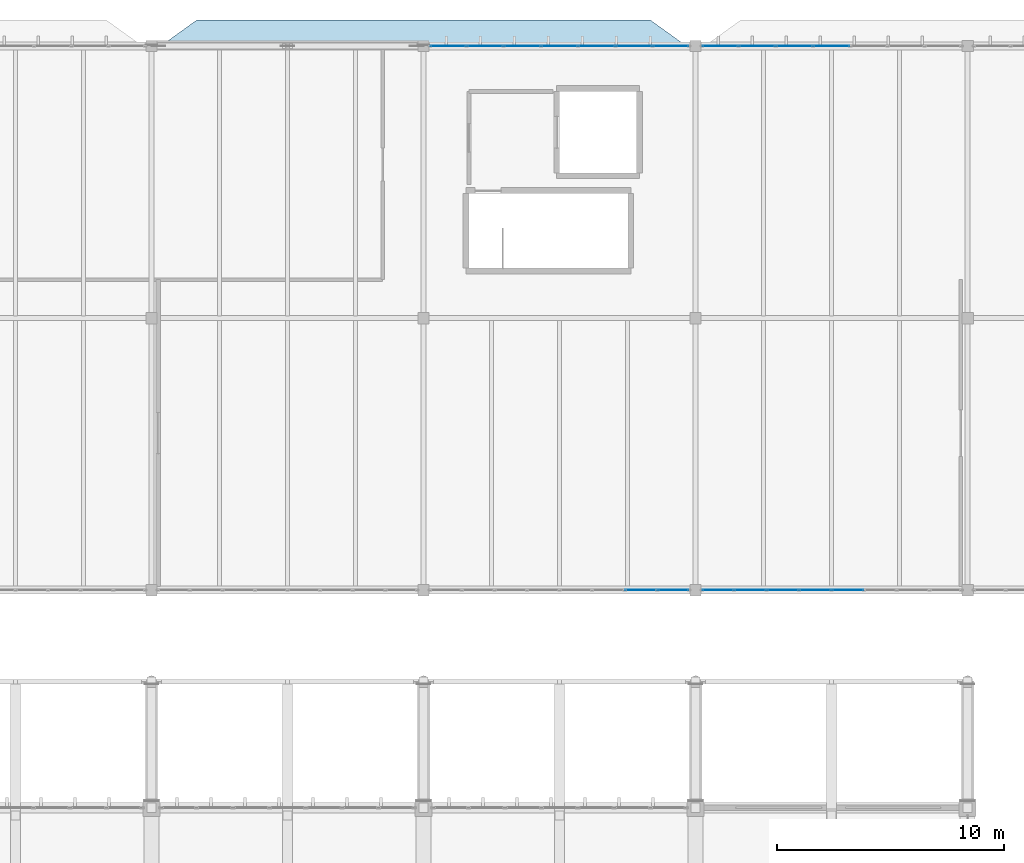
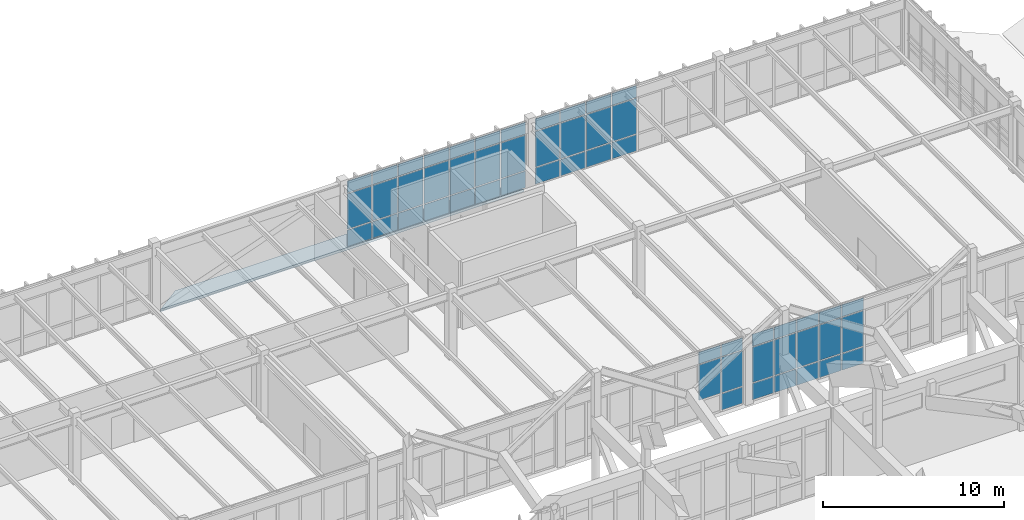
# One storey, part 198 of 236: 53 plates, 1 slab, 4 elements without a shape of their own.
"""IFC4 building model written with IfcOpenShell, lengths in metres."""

from ifc_helpers import new_model, si_unit, direction, frame, origin, origin_2d, place, context, subcontext, project, spatial, polyline, rectangle, outline, extrude, material, layer, layer_set, type_object, element, aggregate, save


model = new_model("IFC4")

# Units and contexts
model_context = context("Model", 3, precision=1e-05, world=origin(), true_north=direction((0.0, 1.0)))
body_context = subcontext(model_context, "Body", "Model", "MODEL_VIEW")
ifc_project = project(units=[si_unit("LENGTHUNIT", "METRE"), si_unit("AREAUNIT", "SQUARE_METRE"), si_unit("VOLUMEUNIT", "CUBIC_METRE"), si_unit("PLANEANGLEUNIT", "RADIAN"), si_unit("MASSUNIT", "GRAM", prefix="KILO")], contexts=[model_context])

# Site, building, storey
site_placement = place(None, origin())
site = spatial("IfcSite", under=ifc_project, at=site_placement, CompositionType="ELEMENT")
building_placement = place(site_placement, origin())
building = spatial("IfcBuilding", under=site, at=building_placement, Name="Pandanus Reach Market Hall", CompositionType="ELEMENT")
storey_placement = place(building_placement, frame((0.0, 0.0, 5.39990234375)))
storey = spatial("IfcBuildingStorey", under=building, at=storey_placement, Name="L01", CompositionType="ELEMENT", Elevation=5.39990234375)

# Curtain wall, plates
ifc_material_1 = material(Name="Bronze anodised aluminium and low-E glass", Category="aluminium")
ifc_layer_1 = layer(ifc_material_1, 0.159912109375, Name="CW-38")
ifc_layer_set_1 = layer_set([ifc_layer_1], Name="Bronze anodised aluminium and low-E glass")
curtain_wall_type_1 = type_object("IfcCurtainWallType", Name="CW-38", PredefinedType="NOTDEFINED", material=ifc_layer_set_1)
curtain_wall_1_placement = place(storey_placement, origin())
curtain_wall_1 = element("IfcCurtainWall", 1, at=curtain_wall_1_placement, inside=storey, type_object=curtain_wall_type_1, Name="Glazed curtain wall CW-38 CW-0141", PredefinedType="NOTDEFINED")
ifc_material_2 = material(Name="Solar-control double glazing", Category="glass")
ifc_layer_2 = layer(ifc_material_2, 0.028076171875, Name="CW-P1")
ifc_layer_set_2 = layer_set([ifc_layer_2], Name="Solar-control double glazing")
plate_type = type_object("IfcPlateType", Name="CW-P1", PredefinedType="CURTAIN_PANEL", material=ifc_layer_set_2)
plate_1_placement = place(storey_placement, frame((117.59375, 96.0, 1.232421875), z_axis=(0.0, 0.0, 1.0), x_axis=(1.0, 0.0, 0.0)))
plate_1 = element("IfcPlate", 2, at=plate_1_placement, type_object=plate_type, Name="CW-38 panel 7.2", PredefinedType="CURTAIN_PANEL", context=body_context, shape_type="SweptSolid", body=[
    extrude(rectangle(XDim=1.37255859375, YDim=0.028076171875, at=origin_2d()), origin(), (0.0, 0.0, 1.0), 2.385009765625),
])
plate_2_placement = place(storey_placement, frame((117.59375, 96.0, 3.6826171875), z_axis=(0.0, 0.0, 1.0), x_axis=(1.0, 0.0, 0.0)))
plate_2 = element("IfcPlate", 3, at=plate_2_placement, type_object=plate_type, Name="CW-38 panel 7.3", PredefinedType="CURTAIN_PANEL", context=body_context, shape_type="SweptSolid", body=[
    extrude(rectangle(XDim=1.37255859375, YDim=0.028076171875, at=origin_2d()), origin(), (0.0, 0.0, 1.0), 0.802490234375),
])
plate_3_placement = place(storey_placement, frame((119.014892578125, 96.0, 0.065185546875), z_axis=(0.0, 0.0, 1.0), x_axis=(1.0, 0.0, 0.0)))
plate_3 = element("IfcPlate", 4, at=plate_3_placement, type_object=plate_type, Name="CW-38 panel 8.1", PredefinedType="CURTAIN_PANEL", context=body_context, shape_type="SweptSolid", body=[
    extrude(rectangle(XDim=1.340087890625, YDim=0.028076171875, at=origin_2d()), origin(), (0.0, 0.0, 1.0), 1.1025390625),
])
plate_4_placement = place(storey_placement, frame((119.014892578125, 96.0, 1.232421875), z_axis=(0.0, 0.0, 1.0), x_axis=(1.0, 0.0, 0.0)))
plate_4 = element("IfcPlate", 5, at=plate_4_placement, type_object=plate_type, Name="CW-38 panel 8.2", PredefinedType="CURTAIN_PANEL", context=body_context, shape_type="SweptSolid", body=[
    extrude(rectangle(XDim=1.340087890625, YDim=0.028076171875, at=origin_2d()), origin(), (0.0, 0.0, 1.0), 2.385009765625),
])
plate_5_placement = place(storey_placement, frame((119.014892578125, 96.0, 3.6826171875), z_axis=(0.0, 0.0, 1.0), x_axis=(1.0, 0.0, 0.0)))
plate_5 = element("IfcPlate", 6, at=plate_5_placement, type_object=plate_type, Name="CW-38 panel 8.3", PredefinedType="CURTAIN_PANEL", context=body_context, shape_type="SweptSolid", body=[
    extrude(rectangle(XDim=1.340087890625, YDim=0.028076171875, at=origin_2d()), origin(), (0.0, 0.0, 1.0), 0.802490234375),
])
aggregate(curtain_wall_1, [plate_1, plate_2, plate_3, plate_4, plate_5])

ifc_layer_3 = layer(ifc_material_1, 0.159912109375, Name="CW-39")
ifc_layer_set_3 = layer_set([ifc_layer_3], Name="Bronze anodised aluminium and low-E glass")
curtain_wall_type_2 = type_object("IfcCurtainWallType", Name="CW-39", PredefinedType="NOTDEFINED", material=ifc_layer_set_3)
curtain_wall_2_placement = place(storey_placement, origin())
curtain_wall_2 = element("IfcCurtainWall", 7, at=curtain_wall_2_placement, inside=storey, type_object=curtain_wall_type_2, Name="Glazed curtain wall CW-39 CW-0142", PredefinedType="NOTDEFINED")
plate_6_placement = place(storey_placement, frame((109.087646484375, 120.0, 0.065185546875), z_axis=(0.0, 0.0, 1.0), x_axis=(1.0, 0.0, 0.0)))
plate_6 = element("IfcPlate", 8, at=plate_6_placement, type_object=plate_type, Name="CW-39 panel 1.1", PredefinedType="CURTAIN_PANEL", context=body_context, shape_type="SweptSolid", body=[
    extrude(rectangle(XDim=1.54541015625, YDim=0.028076171875, at=origin_2d()), origin(), (0.0, 0.0, 1.0), 1.1025390625),
])
plate_7_placement = place(storey_placement, frame((109.087646484375, 120.0, 1.232421875), z_axis=(0.0, 0.0, 1.0), x_axis=(1.0, 0.0, 0.0)))
plate_7 = element("IfcPlate", 9, at=plate_7_placement, type_object=plate_type, Name="CW-39 panel 1.2", PredefinedType="CURTAIN_PANEL", context=body_context, shape_type="SweptSolid", body=[
    extrude(rectangle(XDim=1.54541015625, YDim=0.028076171875, at=origin_2d()), origin(), (0.0, 0.0, 1.0), 2.385009765625),
])
plate_8_placement = place(storey_placement, frame((109.087646484375, 120.0, 3.6826171875), z_axis=(0.0, 0.0, 1.0), x_axis=(1.0, 0.0, 0.0)))
plate_8 = element("IfcPlate", 10, at=plate_8_placement, type_object=plate_type, Name="CW-39 panel 1.3", PredefinedType="CURTAIN_PANEL", context=body_context, shape_type="SweptSolid", body=[
    extrude(rectangle(XDim=1.54541015625, YDim=0.028076171875, at=origin_2d()), origin(), (0.0, 0.0, 1.0), 0.802490234375),
])
plate_9_placement = place(storey_placement, frame((110.71435546875, 120.0, 0.065185546875), z_axis=(0.0, 0.0, 1.0), x_axis=(1.0, 0.0, 0.0)))
plate_9 = element("IfcPlate", 11, at=plate_9_placement, type_object=plate_type, Name="CW-39 panel 2.1", PredefinedType="CURTAIN_PANEL", context=body_context, shape_type="SweptSolid", body=[
    extrude(rectangle(XDim=1.577880859375, YDim=0.028076171875, at=origin_2d()), origin(), (0.0, 0.0, 1.0), 1.1025390625),
])
plate_10_placement = place(storey_placement, frame((110.71435546875, 120.0, 1.232421875), z_axis=(0.0, 0.0, 1.0), x_axis=(1.0, 0.0, 0.0)))
plate_10 = element("IfcPlate", 12, at=plate_10_placement, type_object=plate_type, Name="CW-39 panel 2.2", PredefinedType="CURTAIN_PANEL", context=body_context, shape_type="SweptSolid", body=[
    extrude(rectangle(XDim=1.577880859375, YDim=0.028076171875, at=origin_2d()), origin(), (0.0, 0.0, 1.0), 2.385009765625),
])
plate_11_placement = place(storey_placement, frame((110.71435546875, 120.0, 3.6826171875), z_axis=(0.0, 0.0, 1.0), x_axis=(1.0, 0.0, 0.0)))
plate_11 = element("IfcPlate", 13, at=plate_11_placement, type_object=plate_type, Name="CW-39 panel 2.3", PredefinedType="CURTAIN_PANEL", context=body_context, shape_type="SweptSolid", body=[
    extrude(rectangle(XDim=1.577880859375, YDim=0.028076171875, at=origin_2d()), origin(), (0.0, 0.0, 1.0), 0.802490234375),
])
plate_12_placement = place(storey_placement, frame((112.357177734375, 120.0, 0.065185546875), z_axis=(0.0, 0.0, 1.0), x_axis=(1.0, 0.0, 0.0)))
plate_12 = element("IfcPlate", 14, at=plate_12_placement, type_object=plate_type, Name="CW-39 panel 3.1", PredefinedType="CURTAIN_PANEL", context=body_context, shape_type="SweptSolid", body=[
    extrude(rectangle(XDim=1.577880859375, YDim=0.028076171875, at=origin_2d()), origin(), (0.0, 0.0, 1.0), 1.1025390625),
])
plate_13_placement = place(storey_placement, frame((112.357177734375, 120.0, 1.232421875), z_axis=(0.0, 0.0, 1.0), x_axis=(1.0, 0.0, 0.0)))
plate_13 = element("IfcPlate", 15, at=plate_13_placement, type_object=plate_type, Name="CW-39 panel 3.2", PredefinedType="CURTAIN_PANEL", context=body_context, shape_type="SweptSolid", body=[
    extrude(rectangle(XDim=1.577880859375, YDim=0.028076171875, at=origin_2d()), origin(), (0.0, 0.0, 1.0), 2.385009765625),
])
plate_14_placement = place(storey_placement, frame((112.357177734375, 120.0, 3.6826171875), z_axis=(0.0, 0.0, 1.0), x_axis=(1.0, 0.0, 0.0)))
plate_14 = element("IfcPlate", 16, at=plate_14_placement, type_object=plate_type, Name="CW-39 panel 3.3", PredefinedType="CURTAIN_PANEL", context=body_context, shape_type="SweptSolid", body=[
    extrude(rectangle(XDim=1.577880859375, YDim=0.028076171875, at=origin_2d()), origin(), (0.0, 0.0, 1.0), 0.802490234375),
])
plate_15_placement = place(storey_placement, frame((114.0, 120.0, 0.065185546875), z_axis=(0.0, 0.0, 1.0), x_axis=(1.0, 0.0, 0.0)))
plate_15 = element("IfcPlate", 17, at=plate_15_placement, type_object=plate_type, Name="CW-39 panel 4.1", PredefinedType="CURTAIN_PANEL", context=body_context, shape_type="SweptSolid", body=[
    extrude(rectangle(XDim=1.577880859375, YDim=0.028076171875, at=origin_2d()), origin(), (0.0, 0.0, 1.0), 1.1025390625),
])
plate_16_placement = place(storey_placement, frame((114.0, 120.0, 1.232421875), z_axis=(0.0, 0.0, 1.0), x_axis=(1.0, 0.0, 0.0)))
plate_16 = element("IfcPlate", 18, at=plate_16_placement, type_object=plate_type, Name="CW-39 panel 4.2", PredefinedType="CURTAIN_PANEL", context=body_context, shape_type="SweptSolid", body=[
    extrude(rectangle(XDim=1.577880859375, YDim=0.028076171875, at=origin_2d()), origin(), (0.0, 0.0, 1.0), 2.385009765625),
])
plate_17_placement = place(storey_placement, frame((114.0, 120.0, 3.6826171875), z_axis=(0.0, 0.0, 1.0), x_axis=(1.0, 0.0, 0.0)))
plate_17 = element("IfcPlate", 19, at=plate_17_placement, type_object=plate_type, Name="CW-39 panel 4.3", PredefinedType="CURTAIN_PANEL", context=body_context, shape_type="SweptSolid", body=[
    extrude(rectangle(XDim=1.577880859375, YDim=0.028076171875, at=origin_2d()), origin(), (0.0, 0.0, 1.0), 0.802490234375),
])
plate_18_placement = place(storey_placement, frame((115.642822265625, 120.0, 0.065185546875), z_axis=(0.0, 0.0, 1.0), x_axis=(1.0, 0.0, 0.0)))
plate_18 = element("IfcPlate", 20, at=plate_18_placement, type_object=plate_type, Name="CW-39 panel 5.1", PredefinedType="CURTAIN_PANEL", context=body_context, shape_type="SweptSolid", body=[
    extrude(rectangle(XDim=1.577880859375, YDim=0.028076171875, at=origin_2d()), origin(), (0.0, 0.0, 1.0), 1.1025390625),
])
plate_19_placement = place(storey_placement, frame((115.642822265625, 120.0, 1.232421875), z_axis=(0.0, 0.0, 1.0), x_axis=(1.0, 0.0, 0.0)))
plate_19 = element("IfcPlate", 21, at=plate_19_placement, type_object=plate_type, Name="CW-39 panel 5.2", PredefinedType="CURTAIN_PANEL", context=body_context, shape_type="SweptSolid", body=[
    extrude(rectangle(XDim=1.577880859375, YDim=0.028076171875, at=origin_2d()), origin(), (0.0, 0.0, 1.0), 2.385009765625),
])
plate_20_placement = place(storey_placement, frame((115.642822265625, 120.0, 3.6826171875), z_axis=(0.0, 0.0, 1.0), x_axis=(1.0, 0.0, 0.0)))
plate_20 = element("IfcPlate", 22, at=plate_20_placement, type_object=plate_type, Name="CW-39 panel 5.3", PredefinedType="CURTAIN_PANEL", context=body_context, shape_type="SweptSolid", body=[
    extrude(rectangle(XDim=1.577880859375, YDim=0.028076171875, at=origin_2d()), origin(), (0.0, 0.0, 1.0), 0.802490234375),
])
plate_21_placement = place(storey_placement, frame((117.28564453125, 120.0, 0.065185546875), z_axis=(0.0, 0.0, 1.0), x_axis=(1.0, 0.0, 0.0)))
plate_21 = element("IfcPlate", 23, at=plate_21_placement, type_object=plate_type, Name="CW-39 panel 6.1", PredefinedType="CURTAIN_PANEL", context=body_context, shape_type="SweptSolid", body=[
    extrude(rectangle(XDim=1.577880859375, YDim=0.028076171875, at=origin_2d()), origin(), (0.0, 0.0, 1.0), 1.1025390625),
])
plate_22_placement = place(storey_placement, frame((117.28564453125, 120.0, 1.232421875), z_axis=(0.0, 0.0, 1.0), x_axis=(1.0, 0.0, 0.0)))
plate_22 = element("IfcPlate", 24, at=plate_22_placement, type_object=plate_type, Name="CW-39 panel 6.2", PredefinedType="CURTAIN_PANEL", context=body_context, shape_type="SweptSolid", body=[
    extrude(rectangle(XDim=1.577880859375, YDim=0.028076171875, at=origin_2d()), origin(), (0.0, 0.0, 1.0), 2.385009765625),
])
plate_23_placement = place(storey_placement, frame((117.28564453125, 120.0, 3.6826171875), z_axis=(0.0, 0.0, 1.0), x_axis=(1.0, 0.0, 0.0)))
plate_23 = element("IfcPlate", 25, at=plate_23_placement, type_object=plate_type, Name="CW-39 panel 6.3", PredefinedType="CURTAIN_PANEL", context=body_context, shape_type="SweptSolid", body=[
    extrude(rectangle(XDim=1.577880859375, YDim=0.028076171875, at=origin_2d()), origin(), (0.0, 0.0, 1.0), 0.802490234375),
])
plate_24_placement = place(storey_placement, frame((118.912353515625, 120.0, 0.065185546875), z_axis=(0.0, 0.0, 1.0), x_axis=(1.0, 0.0, 0.0)))
plate_24 = element("IfcPlate", 26, at=plate_24_placement, type_object=plate_type, Name="CW-39 panel 7.1", PredefinedType="CURTAIN_PANEL", context=body_context, shape_type="SweptSolid", body=[
    extrude(rectangle(XDim=1.54541015625, YDim=0.028076171875, at=origin_2d()), origin(), (0.0, 0.0, 1.0), 1.1025390625),
])
plate_25_placement = place(storey_placement, frame((118.912353515625, 120.0, 1.232421875), z_axis=(0.0, 0.0, 1.0), x_axis=(1.0, 0.0, 0.0)))
plate_25 = element("IfcPlate", 27, at=plate_25_placement, type_object=plate_type, Name="CW-39 panel 7.2", PredefinedType="CURTAIN_PANEL", context=body_context, shape_type="SweptSolid", body=[
    extrude(rectangle(XDim=1.54541015625, YDim=0.028076171875, at=origin_2d()), origin(), (0.0, 0.0, 1.0), 2.385009765625),
])
plate_26_placement = place(storey_placement, frame((118.912353515625, 120.0, 3.6826171875), z_axis=(0.0, 0.0, 1.0), x_axis=(1.0, 0.0, 0.0)))
plate_26 = element("IfcPlate", 28, at=plate_26_placement, type_object=plate_type, Name="CW-39 panel 7.3", PredefinedType="CURTAIN_PANEL", context=body_context, shape_type="SweptSolid", body=[
    extrude(rectangle(XDim=1.54541015625, YDim=0.028076171875, at=origin_2d()), origin(), (0.0, 0.0, 1.0), 0.802490234375),
])
aggregate(curtain_wall_2, [plate_6, plate_7, plate_8, plate_9, plate_10, plate_11, plate_12, plate_13, plate_14, plate_15, plate_16, plate_17, plate_18, plate_19, plate_20, plate_21, plate_22, plate_23, plate_24, plate_25, plate_26])

curtain_wall_3_placement = place(storey_placement, origin())
curtain_wall_3 = element("IfcCurtainWall", 29, at=curtain_wall_3_placement, inside=storey, type_object=curtain_wall_type_1, Name="Glazed curtain wall CW-38 CW-0143", PredefinedType="NOTDEFINED")
plate_27_placement = place(storey_placement, frame((120.985107421875, 96.0, 0.065185546875), z_axis=(0.0, 0.0, 1.0), x_axis=(1.0, 0.0, 0.0)))
plate_27 = element("IfcPlate", 30, at=plate_27_placement, type_object=plate_type, Name="CW-38 panel 1.1", PredefinedType="CURTAIN_PANEL", context=body_context, shape_type="SweptSolid", body=[
    extrude(rectangle(XDim=1.340087890625, YDim=0.028076171875, at=origin_2d()), origin(), (0.0, 0.0, 1.0), 1.1025390625),
])
plate_28_placement = place(storey_placement, frame((120.985107421875, 96.0, 1.232421875), z_axis=(0.0, 0.0, 1.0), x_axis=(1.0, 0.0, 0.0)))
plate_28 = element("IfcPlate", 31, at=plate_28_placement, type_object=plate_type, Name="CW-38 panel 1.2", PredefinedType="CURTAIN_PANEL", context=body_context, shape_type="SweptSolid", body=[
    extrude(rectangle(XDim=1.340087890625, YDim=0.028076171875, at=origin_2d()), origin(), (0.0, 0.0, 1.0), 2.385009765625),
])
plate_29_placement = place(storey_placement, frame((120.985107421875, 96.0, 3.6826171875), z_axis=(0.0, 0.0, 1.0), x_axis=(1.0, 0.0, 0.0)))
plate_29 = element("IfcPlate", 32, at=plate_29_placement, type_object=plate_type, Name="CW-38 panel 1.3", PredefinedType="CURTAIN_PANEL", context=body_context, shape_type="SweptSolid", body=[
    extrude(rectangle(XDim=1.340087890625, YDim=0.028076171875, at=origin_2d()), origin(), (0.0, 0.0, 1.0), 0.802490234375),
])
plate_30_placement = place(storey_placement, frame((122.40625, 96.0, 0.065185546875), z_axis=(0.0, 0.0, 1.0), x_axis=(1.0, 0.0, 0.0)))
plate_30 = element("IfcPlate", 33, at=plate_30_placement, type_object=plate_type, Name="CW-38 panel 2.1", PredefinedType="CURTAIN_PANEL", context=body_context, shape_type="SweptSolid", body=[
    extrude(rectangle(XDim=1.37255859375, YDim=0.028076171875, at=origin_2d()), origin(), (0.0, 0.0, 1.0), 1.1025390625),
])
plate_31_placement = place(storey_placement, frame((122.40625, 96.0, 1.232421875), z_axis=(0.0, 0.0, 1.0), x_axis=(1.0, 0.0, 0.0)))
plate_31 = element("IfcPlate", 34, at=plate_31_placement, type_object=plate_type, Name="CW-38 panel 2.2", PredefinedType="CURTAIN_PANEL", context=body_context, shape_type="SweptSolid", body=[
    extrude(rectangle(XDim=1.37255859375, YDim=0.028076171875, at=origin_2d()), origin(), (0.0, 0.0, 1.0), 2.385009765625),
])
plate_32_placement = place(storey_placement, frame((122.40625, 96.0, 3.6826171875), z_axis=(0.0, 0.0, 1.0), x_axis=(1.0, 0.0, 0.0)))
plate_32 = element("IfcPlate", 35, at=plate_32_placement, type_object=plate_type, Name="CW-38 panel 2.3", PredefinedType="CURTAIN_PANEL", context=body_context, shape_type="SweptSolid", body=[
    extrude(rectangle(XDim=1.37255859375, YDim=0.028076171875, at=origin_2d()), origin(), (0.0, 0.0, 1.0), 0.802490234375),
])
plate_33_placement = place(storey_placement, frame((123.84375, 96.0, 0.065185546875), z_axis=(0.0, 0.0, 1.0), x_axis=(1.0, 0.0, 0.0)))
plate_33 = element("IfcPlate", 36, at=plate_33_placement, type_object=plate_type, Name="CW-38 panel 3.1", PredefinedType="CURTAIN_PANEL", context=body_context, shape_type="SweptSolid", body=[
    extrude(rectangle(XDim=1.37255859375, YDim=0.028076171875, at=origin_2d()), origin(), (0.0, 0.0, 1.0), 1.1025390625),
])
plate_34_placement = place(storey_placement, frame((123.84375, 96.0, 1.232421875), z_axis=(0.0, 0.0, 1.0), x_axis=(1.0, 0.0, 0.0)))
plate_34 = element("IfcPlate", 37, at=plate_34_placement, type_object=plate_type, Name="CW-38 panel 3.2", PredefinedType="CURTAIN_PANEL", context=body_context, shape_type="SweptSolid", body=[
    extrude(rectangle(XDim=1.37255859375, YDim=0.028076171875, at=origin_2d()), origin(), (0.0, 0.0, 1.0), 2.385009765625),
])
plate_35_placement = place(storey_placement, frame((123.84375, 96.0, 3.6826171875), z_axis=(0.0, 0.0, 1.0), x_axis=(1.0, 0.0, 0.0)))
plate_35 = element("IfcPlate", 38, at=plate_35_placement, type_object=plate_type, Name="CW-38 panel 3.3", PredefinedType="CURTAIN_PANEL", context=body_context, shape_type="SweptSolid", body=[
    extrude(rectangle(XDim=1.37255859375, YDim=0.028076171875, at=origin_2d()), origin(), (0.0, 0.0, 1.0), 0.802490234375),
])
plate_36_placement = place(storey_placement, frame((125.28125, 96.0, 0.065185546875), z_axis=(0.0, 0.0, 1.0), x_axis=(1.0, 0.0, 0.0)))
plate_36 = element("IfcPlate", 39, at=plate_36_placement, type_object=plate_type, Name="CW-38 panel 4.1", PredefinedType="CURTAIN_PANEL", context=body_context, shape_type="SweptSolid", body=[
    extrude(rectangle(XDim=1.37255859375, YDim=0.028076171875, at=origin_2d()), origin(), (0.0, 0.0, 1.0), 1.1025390625),
])
plate_37_placement = place(storey_placement, frame((125.28125, 96.0, 1.232421875), z_axis=(0.0, 0.0, 1.0), x_axis=(1.0, 0.0, 0.0)))
plate_37 = element("IfcPlate", 40, at=plate_37_placement, type_object=plate_type, Name="CW-38 panel 4.2", PredefinedType="CURTAIN_PANEL", context=body_context, shape_type="SweptSolid", body=[
    extrude(rectangle(XDim=1.37255859375, YDim=0.028076171875, at=origin_2d()), origin(), (0.0, 0.0, 1.0), 2.385009765625),
])
plate_38_placement = place(storey_placement, frame((125.28125, 96.0, 3.6826171875), z_axis=(0.0, 0.0, 1.0), x_axis=(1.0, 0.0, 0.0)))
plate_38 = element("IfcPlate", 41, at=plate_38_placement, type_object=plate_type, Name="CW-38 panel 4.3", PredefinedType="CURTAIN_PANEL", context=body_context, shape_type="SweptSolid", body=[
    extrude(rectangle(XDim=1.37255859375, YDim=0.028076171875, at=origin_2d()), origin(), (0.0, 0.0, 1.0), 0.802490234375),
])
plate_39_placement = place(storey_placement, frame((126.71875, 96.0, 0.065185546875), z_axis=(0.0, 0.0, 1.0), x_axis=(1.0, 0.0, 0.0)))
plate_39 = element("IfcPlate", 42, at=plate_39_placement, type_object=plate_type, Name="CW-38 panel 5.1", PredefinedType="CURTAIN_PANEL", context=body_context, shape_type="SweptSolid", body=[
    extrude(rectangle(XDim=1.37255859375, YDim=0.028076171875, at=origin_2d()), origin(), (0.0, 0.0, 1.0), 1.1025390625),
])
plate_40_placement = place(storey_placement, frame((126.71875, 96.0, 1.232421875), z_axis=(0.0, 0.0, 1.0), x_axis=(1.0, 0.0, 0.0)))
plate_40 = element("IfcPlate", 43, at=plate_40_placement, type_object=plate_type, Name="CW-38 panel 5.2", PredefinedType="CURTAIN_PANEL", context=body_context, shape_type="SweptSolid", body=[
    extrude(rectangle(XDim=1.37255859375, YDim=0.028076171875, at=origin_2d()), origin(), (0.0, 0.0, 1.0), 2.385009765625),
])
plate_41_placement = place(storey_placement, frame((126.71875, 96.0, 3.6826171875), z_axis=(0.0, 0.0, 1.0), x_axis=(1.0, 0.0, 0.0)))
plate_41 = element("IfcPlate", 44, at=plate_41_placement, type_object=plate_type, Name="CW-38 panel 5.3", PredefinedType="CURTAIN_PANEL", context=body_context, shape_type="SweptSolid", body=[
    extrude(rectangle(XDim=1.37255859375, YDim=0.028076171875, at=origin_2d()), origin(), (0.0, 0.0, 1.0), 0.802490234375),
])
aggregate(curtain_wall_3, [plate_27, plate_28, plate_29, plate_30, plate_31, plate_32, plate_33, plate_34, plate_35, plate_36, plate_37, plate_38, plate_39, plate_40, plate_41])

curtain_wall_4_placement = place(storey_placement, origin())
curtain_wall_4 = element("IfcCurtainWall", 45, at=curtain_wall_4_placement, inside=storey, type_object=curtain_wall_type_2, Name="Glazed curtain wall CW-39 CW-0144", PredefinedType="NOTDEFINED")
plate_42_placement = place(storey_placement, frame((121.087646484375, 120.0, 0.065185546875), z_axis=(0.0, 0.0, 1.0), x_axis=(1.0, 0.0, 0.0)))
plate_42 = element("IfcPlate", 46, at=plate_42_placement, type_object=plate_type, Name="CW-39 panel 1.1", PredefinedType="CURTAIN_PANEL", context=body_context, shape_type="SweptSolid", body=[
    extrude(rectangle(XDim=1.54541015625, YDim=0.028076171875, at=origin_2d()), origin(), (0.0, 0.0, 1.0), 1.1025390625),
])
plate_43_placement = place(storey_placement, frame((121.087646484375, 120.0, 1.232421875), z_axis=(0.0, 0.0, 1.0), x_axis=(1.0, 0.0, 0.0)))
plate_43 = element("IfcPlate", 47, at=plate_43_placement, type_object=plate_type, Name="CW-39 panel 1.2", PredefinedType="CURTAIN_PANEL", context=body_context, shape_type="SweptSolid", body=[
    extrude(rectangle(XDim=1.54541015625, YDim=0.028076171875, at=origin_2d()), origin(), (0.0, 0.0, 1.0), 2.385009765625),
])
plate_44_placement = place(storey_placement, frame((121.087646484375, 120.0, 3.6826171875), z_axis=(0.0, 0.0, 1.0), x_axis=(1.0, 0.0, 0.0)))
plate_44 = element("IfcPlate", 48, at=plate_44_placement, type_object=plate_type, Name="CW-39 panel 1.3", PredefinedType="CURTAIN_PANEL", context=body_context, shape_type="SweptSolid", body=[
    extrude(rectangle(XDim=1.54541015625, YDim=0.028076171875, at=origin_2d()), origin(), (0.0, 0.0, 1.0), 0.802490234375),
])
plate_45_placement = place(storey_placement, frame((122.71435546875, 120.0, 0.065185546875), z_axis=(0.0, 0.0, 1.0), x_axis=(1.0, 0.0, 0.0)))
plate_45 = element("IfcPlate", 49, at=plate_45_placement, type_object=plate_type, Name="CW-39 panel 2.1", PredefinedType="CURTAIN_PANEL", context=body_context, shape_type="SweptSolid", body=[
    extrude(rectangle(XDim=1.577880859375, YDim=0.028076171875, at=origin_2d()), origin(), (0.0, 0.0, 1.0), 1.1025390625),
])
plate_46_placement = place(storey_placement, frame((122.71435546875, 120.0, 1.232421875), z_axis=(0.0, 0.0, 1.0), x_axis=(1.0, 0.0, 0.0)))
plate_46 = element("IfcPlate", 50, at=plate_46_placement, type_object=plate_type, Name="CW-39 panel 2.2", PredefinedType="CURTAIN_PANEL", context=body_context, shape_type="SweptSolid", body=[
    extrude(rectangle(XDim=1.577880859375, YDim=0.028076171875, at=origin_2d()), origin(), (0.0, 0.0, 1.0), 2.385009765625),
])
plate_47_placement = place(storey_placement, frame((122.71435546875, 120.0, 3.6826171875), z_axis=(0.0, 0.0, 1.0), x_axis=(1.0, 0.0, 0.0)))
plate_47 = element("IfcPlate", 51, at=plate_47_placement, type_object=plate_type, Name="CW-39 panel 2.3", PredefinedType="CURTAIN_PANEL", context=body_context, shape_type="SweptSolid", body=[
    extrude(rectangle(XDim=1.577880859375, YDim=0.028076171875, at=origin_2d()), origin(), (0.0, 0.0, 1.0), 0.802490234375),
])
plate_48_placement = place(storey_placement, frame((124.357177734375, 120.0, 0.065185546875), z_axis=(0.0, 0.0, 1.0), x_axis=(1.0, 0.0, 0.0)))
plate_48 = element("IfcPlate", 52, at=plate_48_placement, type_object=plate_type, Name="CW-39 panel 3.1", PredefinedType="CURTAIN_PANEL", context=body_context, shape_type="SweptSolid", body=[
    extrude(rectangle(XDim=1.577880859375, YDim=0.028076171875, at=origin_2d()), origin(), (0.0, 0.0, 1.0), 1.1025390625),
])
plate_49_placement = place(storey_placement, frame((124.357177734375, 120.0, 1.232421875), z_axis=(0.0, 0.0, 1.0), x_axis=(1.0, 0.0, 0.0)))
plate_49 = element("IfcPlate", 53, at=plate_49_placement, type_object=plate_type, Name="CW-39 panel 3.2", PredefinedType="CURTAIN_PANEL", context=body_context, shape_type="SweptSolid", body=[
    extrude(rectangle(XDim=1.577880859375, YDim=0.028076171875, at=origin_2d()), origin(), (0.0, 0.0, 1.0), 2.385009765625),
])
plate_50_placement = place(storey_placement, frame((124.357177734375, 120.0, 3.6826171875), z_axis=(0.0, 0.0, 1.0), x_axis=(1.0, 0.0, 0.0)))
plate_50 = element("IfcPlate", 54, at=plate_50_placement, type_object=plate_type, Name="CW-39 panel 3.3", PredefinedType="CURTAIN_PANEL", context=body_context, shape_type="SweptSolid", body=[
    extrude(rectangle(XDim=1.577880859375, YDim=0.028076171875, at=origin_2d()), origin(), (0.0, 0.0, 1.0), 0.802490234375),
])
plate_51_placement = place(storey_placement, frame((126.0, 120.0, 0.065185546875), z_axis=(0.0, 0.0, 1.0), x_axis=(1.0, 0.0, 0.0)))
plate_51 = element("IfcPlate", 55, at=plate_51_placement, type_object=plate_type, Name="CW-39 panel 4.1", PredefinedType="CURTAIN_PANEL", context=body_context, shape_type="SweptSolid", body=[
    extrude(rectangle(XDim=1.577880859375, YDim=0.028076171875, at=origin_2d()), origin(), (0.0, 0.0, 1.0), 1.1025390625),
])
plate_52_placement = place(storey_placement, frame((126.0, 120.0, 1.232421875), z_axis=(0.0, 0.0, 1.0), x_axis=(1.0, 0.0, 0.0)))
plate_52 = element("IfcPlate", 56, at=plate_52_placement, type_object=plate_type, Name="CW-39 panel 4.2", PredefinedType="CURTAIN_PANEL", context=body_context, shape_type="SweptSolid", body=[
    extrude(rectangle(XDim=1.577880859375, YDim=0.028076171875, at=origin_2d()), origin(), (0.0, 0.0, 1.0), 2.385009765625),
])
plate_53_placement = place(storey_placement, frame((126.0, 120.0, 3.6826171875), z_axis=(0.0, 0.0, 1.0), x_axis=(1.0, 0.0, 0.0)))
plate_53 = element("IfcPlate", 57, at=plate_53_placement, type_object=plate_type, Name="CW-39 panel 4.3", PredefinedType="CURTAIN_PANEL", context=body_context, shape_type="SweptSolid", body=[
    extrude(rectangle(XDim=1.577880859375, YDim=0.028076171875, at=origin_2d()), origin(), (0.0, 0.0, 1.0), 0.802490234375),
])
aggregate(curtain_wall_4, [plate_42, plate_43, plate_44, plate_45, plate_46, plate_47, plate_48, plate_49, plate_50, plate_51, plate_52, plate_53])

# Slab
ifc_material_3 = material(Name="Concrete N50 (50 MPa)", Category="concrete")
ifc_layer_4 = layer(ifc_material_3, 0.179931640625, Name="RF-CNP-180")
ifc_layer_set_4 = layer_set([ifc_layer_4], Name="Concrete N50 (50 MPa)")
slab_type = type_object("IfcSlabType", Name="RF-CNP-180", PredefinedType="ROOF", material=ifc_layer_set_4)
slab_placement = place(storey_placement, frame((0.0, 0.0, -0.179931640625)))
element("IfcSlab", 58, at=slab_placement, inside=storey, type_object=slab_type, Name="Sculpted concrete brise-soleil hood 25", PredefinedType="ROOF", context=body_context, shape_type="SweptSolid", body=[
    extrude(outline(polyline([(96.39990234375, 120.0), (119.60009765625, 120.0), (118.0, 121.14990234375), (98.0, 121.14990234375), (96.39990234375, 120.0)])), origin(), (0.0, 0.0, 1.0), 0.179931640625),
])

save(model, "model.ifc")
